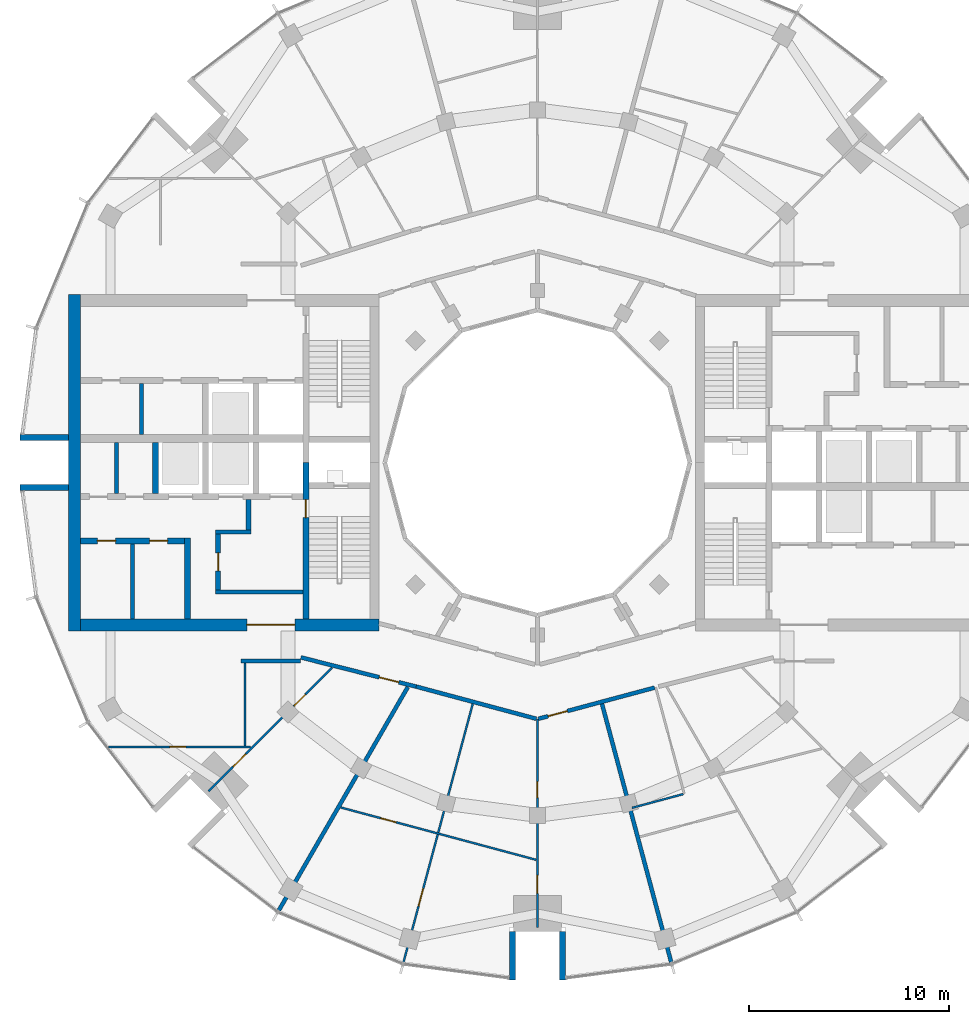
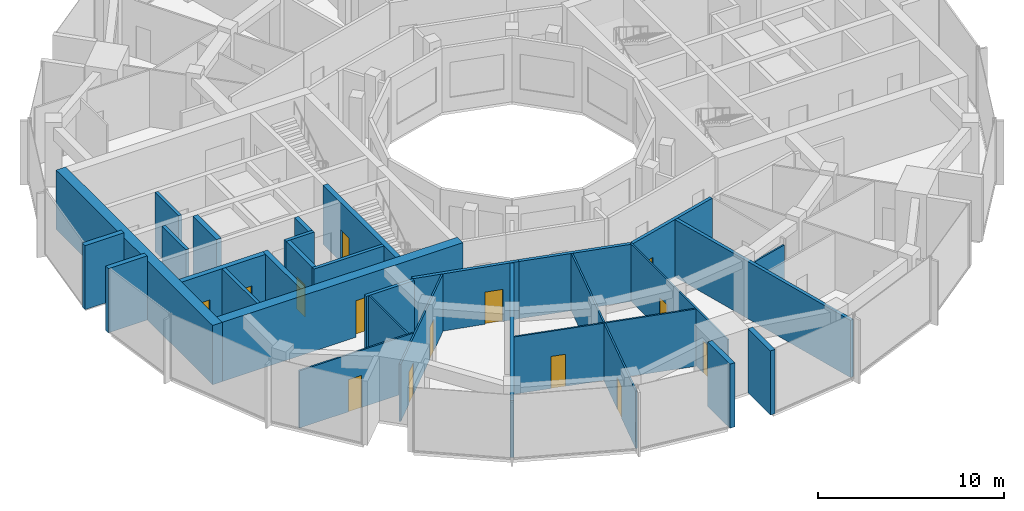
# One storey, part 8 of 15: 30 walls, 14 doors, 14 openings.
"""IFC4 building model written with IfcOpenShell, lengths in metres."""

from ifc_helpers import new_model, si_unit, direction, frame, frame_2d, origin, place, context, subcontext, project, spatial, rectangle, extrude, material, layer, layer_set, type_object, element, fill, save


model = new_model("IFC4")

# Units and contexts
model_context = context("Model", 3, precision=1e-05, world=origin(), true_north=direction((0.0, 1.0)))
body_context = subcontext(model_context, "Body", "Model", "MODEL_VIEW")
ifc_project = project(units=[si_unit("LENGTHUNIT", "METRE"), si_unit("AREAUNIT", "SQUARE_METRE"), si_unit("VOLUMEUNIT", "CUBIC_METRE"), si_unit("PLANEANGLEUNIT", "RADIAN"), si_unit("MASSUNIT", "GRAM", prefix="KILO")], contexts=[model_context])

# Site, building, storey
site_placement = place(None, origin())
site = spatial("IfcSite", under=ifc_project, at=site_placement, CompositionType="ELEMENT")
building_placement = place(site_placement, origin())
building = spatial("IfcBuilding", under=site, at=building_placement, Name="Torre Brocal", CompositionType="ELEMENT")
storey_placement = place(building_placement, frame((0.0, 0.0, 237.300048828125)))
storey = spatial("IfcBuildingStorey", under=building, at=storey_placement, Name="L54", CompositionType="ELEMENT", Elevation=237.300048828125)

# Walls
ifc_material_1 = material(Name="Masonry block", Category="masonry")
ifc_layer_1 = layer(ifc_material_1, 0.199951171875)
ifc_layer_set_1 = layer_set([ifc_layer_1], Name="Masonry block")
wall_type_1 = type_object("IfcWallType", Name="CORE PARTITION 200", PredefinedType="PARTITIONING", material=ifc_layer_set_1)
for number, where, z_axis, x_axis, name in (
    (1, (59.0, 76.0, 0.0), (0.0, 0.0, 1.0), (0.0, -1.0, 0.0), "Wall CP200"),
    (2, (60.25, 78.949951171875, 0.0), (0.0, 0.0, 1.0), (0.0, -1.0, 0.0), "Wall CP200"),
):
    element("IfcWall", number, at=place(storey_placement, frame(where, z_axis=z_axis, x_axis=x_axis)), inside=storey, type_object=wall_type_1, Name=name, PredefinedType="PARTITIONING", context=body_context, shape_type="SweptSolid", body=[
        extrude(rectangle(XDim=2.550048828125, YDim=0.199951171875, at=frame_2d((1.27490234375, 0.0))), origin(), (0.0, 0.0, 1.0), 3.8798828125),
    ])
wall_1_placement = place(storey_placement, frame((59.800048828125, 70.949951171875, 0.0), z_axis=(0.0, 0.0, 1.0), x_axis=(0.0, -1.0, 0.0)))
element("IfcWall", 3, at=wall_1_placement, inside=storey, type_object=wall_type_1, Name="Wall CP200", PredefinedType="PARTITIONING", context=body_context, shape_type="SweptSolid", body=[
    extrude(rectangle(XDim=3.75, YDim=0.199951171875, at=frame_2d((1.875, 0.0))), origin(), (0.0, 0.0, 1.0), 3.8798828125),
])
ifc_material_2 = material(Name="Concrete C60", Category="concrete")
ifc_layer_2 = layer(ifc_material_2, 0.199951171875)
ifc_layer_set_2 = layer_set([ifc_layer_2], Name="Concrete C60")
wall_type_2 = type_object("IfcWallType", Name="CORE WALL 200 C60", PredefinedType="SHEAR", material=ifc_layer_set_2)
wall_2_placement = place(storey_placement, frame((68.300048828125, 68.550048828125, 0.0), z_axis=(0.0, 0.0, 1.0), x_axis=(-1.0, 0.0, 0.0)))
element("IfcWall", 4, at=wall_2_placement, inside=storey, type_object=wall_type_2, Name="Wall CW200-60", PredefinedType="SHEAR", context=body_context, shape_type="SweptSolid", body=[
    extrude(rectangle(XDim=4.35009765625, YDim=0.199951171875, at=frame_2d((2.175048828125, 0.0))), origin(), (0.0, 0.0, 1.0), 3.8798828125),
])
wall_3_placement = place(storey_placement, frame((65.699951171875, 71.550048828125, 0.0), z_axis=(0.0, 0.0, 1.0), x_axis=(-1.0, 0.0, 0.0)))
element("IfcWall", 5, at=wall_3_placement, inside=storey, type_object=wall_type_2, Name="Wall CW200-60", PredefinedType="SHEAR", context=body_context, shape_type="SweptSolid", body=[
    extrude(rectangle(XDim=1.75, YDim=0.199951171875, at=frame_2d((0.875, 0.0))), origin(), (0.0, 0.0, 1.0), 3.8798828125),
])

# Wall, opening, door
ifc_material_3 = material(Name="Concrete C60", Category="concrete")
ifc_layer_3 = layer(ifc_material_3, 0.25)
ifc_layer_set_3 = layer_set([ifc_layer_3], Name="Concrete C60")
wall_type_3 = type_object("IfcWallType", Name="CORE WALL 250 C60", PredefinedType="SHEAR", material=ifc_layer_set_3)
wall_4_placement = place(storey_placement, frame((64.074951171875, 71.449951171875, 0.0), z_axis=(0.0, 0.0, 1.0), x_axis=(0.0, -1.0, 0.0)))
wall_4 = element("IfcWall", 6, at=wall_4_placement, inside=storey, type_object=wall_type_3, Name="Wall CW250-60", PredefinedType="SHEAR", context=body_context, shape_type="SweptSolid", body=[
    extrude(rectangle(XDim=2.800048828125, YDim=0.25, at=frame_2d((1.39990234375, 0.0))), origin(), (0.0, 0.0, 1.0), 3.8798828125),
])
opening_1_placement = place(wall_4_placement, frame((0.949951171875, 0.0, 0.0)))
opening_1 = element("IfcOpeningElement", 7, at=opening_1_placement, cuts=wall_4, Name="Opening W-D08", PredefinedType="OPENING", context=body_context, shape_type="SweptSolid", body=[
    extrude(rectangle(XDim=0.89990234375, YDim=2.10009765625, at=frame_2d((0.449951171875, 1.050048828125))), frame((0.0, 0.135009765625, 0.0), z_axis=(0.0, -1.0, 0.0), x_axis=(1.0, 0.0, 0.0)), (0.0, 0.0, 1.0), 0.27001953125),
])
ifc_material_4 = material(Name="Steel A653", Category="steel")
door_type_1 = type_object("IfcDoorType", Name="LOBBY DOOR FD120 900X2100", OperationType="SINGLE_SWING_RIGHT", PredefinedType="DOOR", material=ifc_material_4)
door_1_placement = place(opening_1_placement, origin())
door_1 = element("IfcDoor", 8, at=door_1_placement, inside=storey, type_object=door_type_1, Name="Door W-D08", OperationType="SINGLE_SWING_LEFT", OverallHeight=2.10009765625, OverallWidth=0.89990234375, PredefinedType="DOOR", context=body_context, shape_type="SweptSolid", body=[
    extrude(rectangle(XDim=0.89990234375, YDim=2.10009765625, at=frame_2d((0.449951171875, 1.050048828125))), frame((0.0, 0.02490234375, 0.0), z_axis=(0.0, -1.0, 0.0), x_axis=(1.0, 0.0, 0.0)), (0.0, 0.0, 1.0), 0.050048828125),
])
fill(opening_1, door_1)

# Wall
wall_5_placement = place(storey_placement, frame((65.574951171875, 73.14990234375, 0.0), z_axis=(0.0, 0.0, 1.0), x_axis=(0.0, -1.0, 0.0)))
element("IfcWall", 9, at=wall_5_placement, inside=storey, type_object=wall_type_3, Name="Wall CW250-60", PredefinedType="SHEAR", context=body_context, shape_type="SweptSolid", body=[
    extrude(rectangle(XDim=1.5, YDim=0.25, at=frame_2d((0.75, 0.0))), origin(), (0.0, 0.0, 1.0), 3.8798828125),
])

# Wall, opening, door
ifc_material_5 = material(Name="Concrete C60", Category="concrete")
ifc_layer_4 = layer(ifc_material_5, 0.300048828125)
ifc_layer_set_4 = layer_set([ifc_layer_4], Name="Concrete C60")
wall_type_4 = type_object("IfcWallType", Name="CORE WALL 300 C60", PredefinedType="SHEAR", material=ifc_layer_set_4)
wall_6_placement = place(storey_placement, frame((68.449951171875, 75.0, 0.0), z_axis=(0.0, 0.0, 1.0), x_axis=(0.0, -1.0, 0.0)))
wall_6 = element("IfcWall", 10, at=wall_6_placement, inside=storey, type_object=wall_type_4, Name="Wall CW300-60", PredefinedType="SHEAR", context=body_context, shape_type="SweptSolid", body=[
    extrude(rectangle(XDim=7.800048828125, YDim=0.300048828125, at=frame_2d((3.89990234375, 0.0))), origin(), (0.0, 0.0, 1.0), 3.8798828125),
])
opening_2_placement = place(wall_6_placement, frame((1.85009765625, 0.0, 0.0)))
opening_2 = element("IfcOpeningElement", 11, at=opening_2_placement, cuts=wall_6, Name="Opening W-D02", PredefinedType="OPENING", context=body_context, shape_type="SweptSolid", body=[
    extrude(rectangle(XDim=0.89990234375, YDim=2.10009765625, at=frame_2d((0.449951171875, 1.050048828125))), frame((0.0, 0.159912109375, 0.0), z_axis=(0.0, -1.0, 0.0), x_axis=(1.0, 0.0, 0.0)), (0.0, 0.0, 1.0), 0.320068359375),
])
ifc_material_6 = material(Name="Steel A653", Category="steel")
door_type_2 = type_object("IfcDoorType", Name="STAIR DOOR FD120 900X2100", OperationType="SINGLE_SWING_RIGHT", PredefinedType="DOOR", material=ifc_material_6)
door_2_placement = place(opening_2_placement, origin())
door_2 = element("IfcDoor", 12, at=door_2_placement, inside=storey, type_object=door_type_2, Name="Door W-D02", OperationType="SINGLE_SWING_LEFT", OverallHeight=2.10009765625, OverallWidth=0.89990234375, PredefinedType="DOOR", context=body_context, shape_type="SweptSolid", body=[
    extrude(rectangle(XDim=0.89990234375, YDim=2.10009765625, at=frame_2d((0.449951171875, 1.050048828125))), frame((0.0, 0.02490234375, 0.0), z_axis=(0.0, -1.0, 0.0), x_axis=(1.0, 0.0, 0.0)), (0.0, 0.0, 1.0), 0.050048828125),
])
fill(opening_2, door_2)

# Walls
wall_7_placement = place(storey_placement, frame((60.949951171875, 76.0, 0.0), z_axis=(0.0, 0.0, 1.0), x_axis=(0.0, -1.0, 0.0)))
element("IfcWall", 13, at=wall_7_placement, inside=storey, type_object=wall_type_4, Name="Wall CW300-60", PredefinedType="SHEAR", context=body_context, shape_type="SweptSolid", body=[
    extrude(rectangle(XDim=2.550048828125, YDim=0.300048828125, at=frame_2d((1.27490234375, 0.0))), origin(), (0.0, 0.0, 1.0), 3.8798828125),
])
wall_8_placement = place(storey_placement, frame((62.550048828125, 71.25, 0.0), z_axis=(0.0, 0.0, 1.0), x_axis=(0.0, -1.0, 0.0)))
element("IfcWall", 14, at=wall_8_placement, inside=storey, type_object=wall_type_4, Name="Wall CW300-60", PredefinedType="SHEAR", context=body_context, shape_type="SweptSolid", body=[
    extrude(rectangle(XDim=4.050048828125, YDim=0.300048828125, at=frame_2d((2.02490234375, 0.0))), origin(), (0.0, 0.0, 1.0), 3.8798828125),
])

# Wall, openings, doors
wall_9_placement = place(storey_placement, frame((62.39990234375, 71.10009765625, 0.0), z_axis=(0.0, 0.0, 1.0), x_axis=(-1.0, 0.0, 0.0)))
wall_9 = element("IfcWall", 15, at=wall_9_placement, inside=storey, type_object=wall_type_4, Name="Wall CW300-60", PredefinedType="SHEAR", context=body_context, shape_type="SweptSolid", body=[
    extrude(rectangle(XDim=5.199951171875, YDim=0.300048828125, at=frame_2d((2.60009765625, 0.0))), origin(), (0.0, 0.0, 1.0), 3.8798828125),
])
opening_3_placement = place(wall_9_placement, frame((0.85009765625, 0.0, 0.0)))
opening_3 = element("IfcOpeningElement", 16, at=opening_3_placement, cuts=wall_9, Name="Opening W-D09", PredefinedType="OPENING", context=body_context, shape_type="SweptSolid", body=[
    extrude(rectangle(XDim=0.89990234375, YDim=2.10009765625, at=frame_2d((0.449951171875, 1.050048828125))), frame((0.0, 0.159912109375, 0.0), z_axis=(0.0, -1.0, 0.0), x_axis=(1.0, 0.0, 0.0)), (0.0, 0.0, 1.0), 0.320068359375),
])
opening_4_placement = place(wall_9_placement, frame((3.449951171875, 0.0, 0.0)))
opening_4 = element("IfcOpeningElement", 17, at=opening_4_placement, cuts=wall_9, Name="Opening W-D10", PredefinedType="OPENING", context=body_context, shape_type="SweptSolid", body=[
    extrude(rectangle(XDim=0.89990234375, YDim=2.10009765625, at=frame_2d((0.449951171875, 1.050048828125))), frame((0.0, 0.159912109375, 0.0), z_axis=(0.0, -1.0, 0.0), x_axis=(1.0, 0.0, 0.0)), (0.0, 0.0, 1.0), 0.320068359375),
])
ifc_material_7 = material(Name="Steel A653", Category="steel")
door_type_3 = type_object("IfcDoorType", Name="ROOM DOOR FD30S 900X2100", OperationType="SINGLE_SWING_LEFT", PredefinedType="DOOR", material=ifc_material_7)
door_3_placement = place(opening_3_placement, origin())
door_3 = element("IfcDoor", 18, at=door_3_placement, inside=storey, type_object=door_type_3, Name="Door W-D09", OperationType="SINGLE_SWING_RIGHT", OverallHeight=2.10009765625, OverallWidth=0.89990234375, PredefinedType="DOOR", context=body_context, shape_type="SweptSolid", body=[
    extrude(rectangle(XDim=0.89990234375, YDim=2.10009765625, at=frame_2d((0.449951171875, 1.050048828125))), frame((0.0, 0.02490234375, 0.0), z_axis=(0.0, -1.0, 0.0), x_axis=(1.0, 0.0, 0.0)), (0.0, 0.0, 1.0), 0.050048828125),
])
fill(opening_3, door_3)
door_4_placement = place(opening_4_placement, origin())
door_4 = element("IfcDoor", 19, at=door_4_placement, inside=storey, type_object=door_type_3, Name="Door W-D10", OperationType="SINGLE_SWING_LEFT", OverallHeight=2.10009765625, OverallWidth=0.89990234375, PredefinedType="DOOR", context=body_context, shape_type="SweptSolid", body=[
    extrude(rectangle(XDim=0.89990234375, YDim=2.10009765625, at=frame_2d((0.449951171875, 1.050048828125))), frame((0.0, 0.02490234375, 0.0), z_axis=(0.0, -1.0, 0.0), x_axis=(1.0, 0.0, 0.0)), (0.0, 0.0, 1.0), 0.050048828125),
])
fill(opening_4, door_4)

# Wall, opening, door
ifc_material_8 = material(Name="Concrete C60", Category="concrete")
ifc_layer_5 = layer(ifc_material_8, 0.60009765625)
ifc_layer_set_5 = layer_set([ifc_layer_5], Name="Concrete C60")
wall_type_5 = type_object("IfcWallType", Name="CORE WALL 600 C60", PredefinedType="SHEAR", material=ifc_layer_set_5)
wall_10_placement = place(storey_placement, frame((72.10009765625, 66.89990234375, 0.0), z_axis=(0.0, 0.0, 1.0), x_axis=(-1.0, 0.0, 0.0)))
wall_10 = element("IfcWall", 20, at=wall_10_placement, inside=storey, type_object=wall_type_5, Name="Wall CW600-60", PredefinedType="SHEAR", context=body_context, shape_type="SweptSolid", body=[
    extrude(rectangle(XDim=14.900146484375, YDim=0.60009765625, at=frame_2d((7.4501953125, 0.0))), origin(), (0.0, 0.0, 1.0), 3.8798828125),
])
opening_5_placement = place(wall_10_placement, frame((4.199951171875, 0.0, 0.0)))
opening_5 = element("IfcOpeningElement", 21, at=opening_5_placement, cuts=wall_10, Name="Opening W-D34", PredefinedType="OPENING", context=body_context, shape_type="SweptSolid", body=[
    extrude(rectangle(XDim=2.39990234375, YDim=2.39990234375, at=frame_2d((1.199951171875, 1.199951171875))), frame((0.0, 0.31005859375, 0.0), z_axis=(0.0, -1.0, 0.0), x_axis=(1.0, 0.0, 0.0)), (0.0, 0.0, 1.0), 0.6201171875),
])
ifc_material_9 = material(Name="Steel A653", Category="steel")
door_type_4 = type_object("IfcDoorType", Name="DOUBLE FIRE DOOR FD90 2400X2400", OperationType="DOUBLE_DOOR_SINGLE_SWING", PredefinedType="DOOR", material=ifc_material_9)
door_5_placement = place(opening_5_placement, frame((2.39990234375, 0.0, 0.0), z_axis=(0.0, 0.0, 1.0), x_axis=(-1.0, 0.0, 0.0)))
door_5 = element("IfcDoor", 22, at=door_5_placement, inside=storey, type_object=door_type_4, Name="Door W-D34", OperationType="DOUBLE_DOOR_SINGLE_SWING", OverallHeight=2.39990234375, OverallWidth=2.39990234375, PredefinedType="DOOR", context=body_context, shape_type="SweptSolid", body=[
    extrude(rectangle(XDim=2.39990234375, YDim=2.39990234375, at=frame_2d((1.199951171875, 1.199951171875))), frame((0.0, 0.02490234375, 0.0), z_axis=(0.0, -1.0, 0.0), x_axis=(1.0, 0.0, 0.0)), (0.0, 0.0, 1.0), 0.050048828125),
])
fill(opening_5, door_5)

# Walls
wall_11_placement = place(storey_placement, frame((56.89990234375, 83.39990234375, 0.0), z_axis=(0.0, 0.0, 1.0), x_axis=(0.0, -1.0, 0.0)))
element("IfcWall", 23, at=wall_11_placement, inside=storey, type_object=wall_type_5, Name="Wall CW600-60", PredefinedType="SHEAR", context=body_context, shape_type="SweptSolid", body=[
    extrude(rectangle(XDim=16.7998046875, YDim=0.60009765625, at=frame_2d((8.39990234375, 0.0))), origin(), (0.0, 0.0, 1.0), 3.8798828125),
])
ifc_material_10 = material(Name="Concrete C60", Category="concrete")
ifc_layer_6 = layer(ifc_material_10, 0.300048828125)
ifc_layer_set_6 = layer_set([ifc_layer_6], Name="Concrete C60")
wall_type_6 = type_object("IfcWallType", Name="NOTCH RETURN WALL 300 C60", PredefinedType="NOTDEFINED", material=ifc_layer_set_6)
for number, where, z_axis, x_axis, name in (
    (24, (56.60009765625, 76.25, 0.0), (0.0, 0.0, 1.0), (-1.0, 0.0, 0.0), "NOTCH RETURN WALL"),
    (25, (56.60009765625, 73.75, 0.0), (0.0, 0.0, 1.0), (-1.0, 0.0, 0.0), "NOTCH RETURN WALL"),
    (26, (78.75, 51.60009765625, 0.0), (0.0, 0.0, 1.0), (0.0, -1.0, 0.0), "NOTCH RETURN WALL"),
    (27, (81.25, 51.60009765625, 0.0), (0.0, 0.0, 1.0), (0.0, -1.0, 0.0), "NOTCH RETURN WALL"),
):
    element("IfcWall", number, at=place(storey_placement, frame(where, z_axis=z_axis, x_axis=x_axis)), inside=storey, type_object=wall_type_6, Name=name, PredefinedType="NOTDEFINED", context=body_context, shape_type="SweptSolid", body=[
        extrude(rectangle(XDim=2.415771484375, YDim=0.300048828125, at=frame_2d((1.2080078125, 0.0))), origin(), (0.0, 0.0, 1.0), 4.199951171875),
    ])

# Wall, opening, door
ifc_material_11 = material(Name="Gypsum board", Category="Gypsum")
ifc_layer_7 = layer(ifc_material_11, 0.10009765625)
ifc_layer_set_7 = layer_set([ifc_layer_7], Name="Gypsum board")
wall_type_7 = type_object("IfcWallType", Name="PARTITION 100", PredefinedType="PARTITIONING", material=ifc_layer_set_7)
wall_12_placement = place(storey_placement, frame((58.60009765625, 60.81201171875, 0.0), z_axis=(0.0, 0.0, 1.0), x_axis=(1.0, 0.0, 0.0)))
wall_12 = element("IfcWall", 28, at=wall_12_placement, inside=storey, type_object=wall_type_7, Name="BATHROOM WALL", PredefinedType="PARTITIONING", context=body_context, shape_type="SweptSolid", body=[
    extrude(rectangle(XDim=7.091796875, YDim=0.10009765625, at=frame_2d((3.5458984375, 0.0))), origin(), (0.0, 0.0, 1.0), 3.75),
])
opening_6_placement = place(wall_12_placement, frame((3.06494140625, 0.0, 0.0)))
opening_6 = element("IfcOpeningElement", 29, at=opening_6_placement, cuts=wall_12, Name="Opening B03-D34", PredefinedType="OPENING", context=body_context, shape_type="SweptSolid", body=[
    extrude(rectangle(XDim=0.800048828125, YDim=2.10009765625, at=frame_2d((0.39990234375, 1.050048828125))), frame((0.0, 0.06005859375, 0.0), z_axis=(0.0, -1.0, 0.0), x_axis=(1.0, 0.0, 0.0)), (0.0, 0.0, 1.0), 0.1201171875),
])
ifc_material_12 = material(Name="Timber", Category="wood")
door_type_5 = type_object("IfcDoorType", Name="BATHROOM DOOR 800X2100", OperationType="SINGLE_SWING_LEFT", PredefinedType="DOOR", material=ifc_material_12)
door_6_placement = place(opening_6_placement, origin())
door_6 = element("IfcDoor", 30, at=door_6_placement, inside=storey, type_object=door_type_5, Name="B03-D34", OperationType="SINGLE_SWING_RIGHT", OverallHeight=2.10009765625, OverallWidth=0.800048828125, PredefinedType="DOOR", context=body_context, shape_type="SweptSolid", body=[
    extrude(rectangle(XDim=0.800048828125, YDim=2.10009765625, at=frame_2d((0.39990234375, 1.050048828125))), frame((0.0, 0.02490234375, 0.0), z_axis=(0.0, -1.0, 0.0), x_axis=(1.0, 0.0, 0.0)), (0.0, 0.0, 1.0), 0.050048828125),
])
fill(opening_6, door_6)

# Wall, openings, doors
wall_13_placement = place(storey_placement, frame((63.59130859375, 58.60009765625, 0.0), z_axis=(0.0, 0.0, 1.0), x_axis=(0.707274766636, 0.70693875582, 0.0)))
wall_13 = element("IfcWall", 31, at=wall_13_placement, inside=storey, type_object=wall_type_7, Name="BATHROOM WALL", PredefinedType="PARTITIONING", context=body_context, shape_type="SweptSolid", body=[
    extrude(rectangle(XDim=8.718994140625, YDim=0.10009765625, at=frame_2d((4.359375, 0.0))), origin(), (0.0, 0.0, 1.0), 3.75),
])
opening_7_placement = place(wall_13_placement, frame((1.728515625, 0.0, 0.0)))
opening_7 = element("IfcOpeningElement", 32, at=opening_7_placement, cuts=wall_13, Name="Opening B03-D33", PredefinedType="OPENING", context=body_context, shape_type="SweptSolid", body=[
    extrude(rectangle(XDim=0.89990234375, YDim=2.10009765625, at=frame_2d((0.449951171875, 1.050048828125))), frame((0.0, 0.06005859375, 0.0), z_axis=(0.0, -1.0, 0.0), x_axis=(1.0, 0.0, 0.0)), (0.0, 0.0, 1.0), 0.1201171875),
])
opening_8_placement = place(wall_13_placement, frame((6.03271484375, 0.0, 0.0)))
opening_8 = element("IfcOpeningElement", 33, at=opening_8_placement, cuts=wall_13, Name="Opening B03-D35", PredefinedType="OPENING", context=body_context, shape_type="SweptSolid", body=[
    extrude(rectangle(XDim=0.800048828125, YDim=2.10009765625, at=frame_2d((0.39990234375, 1.050048828125))), frame((0.0, 0.06005859375, 0.0), z_axis=(0.0, -1.0, 0.0), x_axis=(1.0, 0.0, 0.0)), (0.0, 0.0, 1.0), 0.1201171875),
])
door_7_placement = place(opening_8_placement, origin())
door_7 = element("IfcDoor", 34, at=door_7_placement, inside=storey, type_object=door_type_5, Name="B03-D35", OperationType="SINGLE_SWING_RIGHT", OverallHeight=2.10009765625, OverallWidth=0.800048828125, PredefinedType="DOOR", context=body_context, shape_type="SweptSolid", body=[
    extrude(rectangle(XDim=0.800048828125, YDim=2.10009765625, at=frame_2d((0.39990234375, 1.050048828125))), frame((0.0, 0.02490234375, 0.0), z_axis=(0.0, -1.0, 0.0), x_axis=(1.0, 0.0, 0.0)), (0.0, 0.0, 1.0), 0.050048828125),
])
fill(opening_8, door_7)
ifc_material_13 = material(Name="Timber", Category="wood")
door_type_6 = type_object("IfcDoorType", Name="ROOM DOOR 900X2100", OperationType="SINGLE_SWING_LEFT", PredefinedType="DOOR", material=ifc_material_13)
door_8_placement = place(opening_7_placement, origin())
door_8 = element("IfcDoor", 35, at=door_8_placement, inside=storey, type_object=door_type_6, Name="B03-D33", OperationType="SINGLE_SWING_LEFT", OverallHeight=2.10009765625, OverallWidth=0.89990234375, PredefinedType="DOOR", context=body_context, shape_type="SweptSolid", body=[
    extrude(rectangle(XDim=0.89990234375, YDim=2.10009765625, at=frame_2d((0.449951171875, 1.050048828125))), frame((0.0, 0.02490234375, 0.0), z_axis=(0.0, -1.0, 0.0), x_axis=(1.0, 0.0, 0.0)), (0.0, 0.0, 1.0), 0.050048828125),
])
fill(opening_7, door_8)

# Wall
wall_14_placement = place(storey_placement, frame((65.39990234375, 60.862060546875, 0.0), z_axis=(0.0, 0.0, 1.0), x_axis=(0.0, 1.0, 0.0)))
element("IfcWall", 36, at=wall_14_placement, inside=storey, type_object=wall_type_7, Name="BATHROOM WALL", PredefinedType="PARTITIONING", context=body_context, shape_type="SweptSolid", body=[
    extrude(rectangle(XDim=4.137939453125, YDim=0.10009765625, at=frame_2d((2.06884765625, 0.0))), origin(), (0.0, 0.0, 1.0), 3.75),
])

# Wall, opening, door
wall_15_placement = place(storey_placement, frame((70.1884765625, 57.79345703125, 0.0), z_axis=(0.0, 0.0, 1.0), x_axis=(0.965911138035, -0.258873856194, 0.0)))
wall_15 = element("IfcWall", 37, at=wall_15_placement, inside=storey, type_object=wall_type_7, Name="BATHROOM WALL", PredefinedType="PARTITIONING", context=body_context, shape_type="SweptSolid", body=[
    extrude(rectangle(XDim=10.09765625, YDim=0.10009765625, at=frame_2d((5.048828125, 0.0))), origin(), (0.0, 0.0, 1.0), 3.75),
])
opening_9_placement = place(wall_15_placement, frame((2.056884765625, 0.0, 0.0)))
opening_9 = element("IfcOpeningElement", 38, at=opening_9_placement, cuts=wall_15, Name="Opening B03-D31", PredefinedType="OPENING", context=body_context, shape_type="SweptSolid", body=[
    extrude(rectangle(XDim=0.800048828125, YDim=2.10009765625, at=frame_2d((0.39990234375, 1.050048828125))), frame((0.0, 0.06005859375, 0.0), z_axis=(0.0, -1.0, 0.0), x_axis=(1.0, 0.0, 0.0)), (0.0, 0.0, 1.0), 0.1201171875),
])
door_9_placement = place(opening_9_placement, origin())
door_9 = element("IfcDoor", 39, at=door_9_placement, inside=storey, type_object=door_type_5, Name="B03-D31", OperationType="SINGLE_SWING_LEFT", OverallHeight=2.10009765625, OverallWidth=0.800048828125, PredefinedType="DOOR", context=body_context, shape_type="SweptSolid", body=[
    extrude(rectangle(XDim=0.800048828125, YDim=2.10009765625, at=frame_2d((0.39990234375, 1.050048828125))), frame((0.0, 0.02490234375, 0.0), z_axis=(0.0, -1.0, 0.0), x_axis=(1.0, 0.0, 0.0)), (0.0, 0.0, 1.0), 0.050048828125),
])
fill(opening_9, door_9)

wall_16_placement = place(storey_placement, frame((73.322998046875, 50.080810546875, 0.0), z_axis=(0.0, 0.0, 1.0), x_axis=(0.258837030899, 0.96592100683, 0.0)))
wall_16 = element("IfcWall", 40, at=wall_16_placement, inside=storey, type_object=wall_type_7, Name="BATHROOM WALL", PredefinedType="PARTITIONING", context=body_context, shape_type="SweptSolid", body=[
    extrude(rectangle(XDim=13.338134765625, YDim=0.10009765625, at=frame_2d((6.6689453125, 0.0))), origin(), (0.0, 0.0, 1.0), 3.75),
])
opening_10_placement = place(wall_16_placement, frame((2.894287109375, 0.0, 0.0)))
opening_10 = element("IfcOpeningElement", 41, at=opening_10_placement, cuts=wall_16, Name="Opening B03-D30", PredefinedType="OPENING", context=body_context, shape_type="SweptSolid", body=[
    extrude(rectangle(XDim=0.89990234375, YDim=2.10009765625, at=frame_2d((0.449951171875, 1.050048828125))), frame((0.0, 0.06005859375, 0.0), z_axis=(0.0, -1.0, 0.0), x_axis=(1.0, 0.0, 0.0)), (0.0, 0.0, 1.0), 0.1201171875),
])
door_10_placement = place(opening_10_placement, frame((0.89990234375, 0.0, 0.0), z_axis=(0.0, 0.0, 1.0), x_axis=(-1.0, 0.0, 0.0)))
door_10 = element("IfcDoor", 42, at=door_10_placement, inside=storey, type_object=door_type_6, Name="B03-D30", OperationType="SINGLE_SWING_RIGHT", OverallHeight=2.10009765625, OverallWidth=0.89990234375, PredefinedType="DOOR", context=body_context, shape_type="SweptSolid", body=[
    extrude(rectangle(XDim=0.89990234375, YDim=2.10009765625, at=frame_2d((0.449951171875, 1.050048828125))), frame((0.0, 0.02490234375, 0.0), z_axis=(0.0, -1.0, 0.0), x_axis=(1.0, 0.0, 0.0)), (0.0, 0.0, 1.0), 0.050048828125),
])
fill(opening_10, door_10)

# Wall, openings, doors
wall_17_placement = place(storey_placement, frame((80.0, 51.800048828125, 0.0), z_axis=(0.0, 0.0, 1.0), x_axis=(0.0, 1.0, 0.0)))
wall_17 = element("IfcWall", 43, at=wall_17_placement, inside=storey, type_object=wall_type_7, Name="BATHROOM WALL", PredefinedType="PARTITIONING", context=body_context, shape_type="SweptSolid", body=[
    extrude(rectangle(XDim=10.404052734375, YDim=0.10009765625, at=frame_2d((5.2021484375, 0.0))), origin(), (0.0, 0.0, 1.0), 3.75),
])
opening_11_placement = place(wall_17_placement, frame((1.70703125, 0.0, 0.0)))
opening_11 = element("IfcOpeningElement", 44, at=opening_11_placement, cuts=wall_17, Name="Opening B03-D28", PredefinedType="OPENING", context=body_context, shape_type="SweptSolid", body=[
    extrude(rectangle(XDim=0.89990234375, YDim=2.10009765625, at=frame_2d((0.449951171875, 1.050048828125))), frame((0.0, 0.06005859375, 0.0), z_axis=(0.0, -1.0, 0.0), x_axis=(1.0, 0.0, 0.0)), (0.0, 0.0, 1.0), 0.1201171875),
])
opening_12_placement = place(wall_17_placement, frame((6.48388671875, 0.0, 0.0)))
opening_12 = element("IfcOpeningElement", 45, at=opening_12_placement, cuts=wall_17, Name="Opening B03-D29", PredefinedType="OPENING", context=body_context, shape_type="SweptSolid", body=[
    extrude(rectangle(XDim=0.800048828125, YDim=2.10009765625, at=frame_2d((0.39990234375, 1.050048828125))), frame((0.0, 0.06005859375, 0.0), z_axis=(0.0, -1.0, 0.0), x_axis=(1.0, 0.0, 0.0)), (0.0, 0.0, 1.0), 0.1201171875),
])
door_11_placement = place(opening_12_placement, origin())
door_11 = element("IfcDoor", 46, at=door_11_placement, inside=storey, type_object=door_type_5, Name="B03-D29", OperationType="SINGLE_SWING_LEFT", OverallHeight=2.10009765625, OverallWidth=0.800048828125, PredefinedType="DOOR", context=body_context, shape_type="SweptSolid", body=[
    extrude(rectangle(XDim=0.800048828125, YDim=2.10009765625, at=frame_2d((0.39990234375, 1.050048828125))), frame((0.0, 0.02490234375, 0.0), z_axis=(0.0, -1.0, 0.0), x_axis=(1.0, 0.0, 0.0)), (0.0, 0.0, 1.0), 0.050048828125),
])
fill(opening_12, door_11)
door_12_placement = place(opening_11_placement, origin())
door_12 = element("IfcDoor", 47, at=door_12_placement, inside=storey, type_object=door_type_6, Name="B03-D28", OperationType="SINGLE_SWING_RIGHT", OverallHeight=2.10009765625, OverallWidth=0.89990234375, PredefinedType="DOOR", context=body_context, shape_type="SweptSolid", body=[
    extrude(rectangle(XDim=0.89990234375, YDim=2.10009765625, at=frame_2d((0.449951171875, 1.050048828125))), frame((0.0, 0.02490234375, 0.0), z_axis=(0.0, -1.0, 0.0), x_axis=(1.0, 0.0, 0.0)), (0.0, 0.0, 1.0), 0.050048828125),
])
fill(opening_11, door_12)

# Walls
ifc_material_14 = material(Name="Gypsum board", Category="Gypsum")
ifc_layer_8 = layer(ifc_material_14, 0.10009765625)
ifc_layer_set_8 = layer_set([ifc_layer_8], Name="Gypsum board")
wall_type_8 = type_object("IfcWallType", Name="PARTITION 100 UNDER BEAM 820", PredefinedType="PARTITIONING", material=ifc_layer_set_8)
wall_18_placement = place(storey_placement, frame((84.719482421875, 57.77392578125, 0.0), z_axis=(0.0, 0.0, 1.0), x_axis=(0.965902408875, 0.258906424273, 0.0)))
element("IfcWall", 48, at=wall_18_placement, inside=storey, type_object=wall_type_8, Name="BATHROOM WALL", PredefinedType="PARTITIONING", context=body_context, shape_type="SweptSolid", body=[
    extrude(rectangle(XDim=2.650634765625, YDim=0.10009765625, at=frame_2d((1.3251953125, 0.0))), origin(), (0.0, 0.0, 1.0), 3.3798828125),
])
ifc_material_15 = material(Name="Gypsum board", Category="Gypsum")
ifc_layer_9 = layer(ifc_material_15, 0.199951171875)
ifc_layer_set_9 = layer_set([ifc_layer_9], Name="Gypsum board")
wall_type_9 = type_object("IfcWallType", Name="PARTITION 200 EI60", PredefinedType="PARTITIONING", material=ifc_layer_set_9)
wall_19_placement = place(storey_placement, frame((65.199951171875, 65.10009765625, 0.0), z_axis=(0.0, 0.0, 1.0), x_axis=(1.0, 0.0, 0.0)))
element("IfcWall", 49, at=wall_19_placement, inside=storey, type_object=wall_type_9, Name="CORRIDOR WALL", PredefinedType="PARTITIONING", context=body_context, shape_type="SweptSolid", body=[
    extrude(rectangle(XDim=2.97998046875, YDim=0.199951171875, at=frame_2d((1.489990234375, 0.0))), origin(), (0.0, 0.0, 1.0), 3.75),
])
wall_20_placement = place(storey_placement, frame((67.099853515625, 52.659423828125, 0.0), z_axis=(0.0, 0.0, 1.0), x_axis=(0.500128690501, 0.865951091539, 0.0)))
element("IfcWall", 50, at=wall_20_placement, inside=storey, type_object=wall_type_9, Name="BATHROOM WALL", PredefinedType="PARTITIONING", context=body_context, shape_type="SweptSolid", body=[
    extrude(rectangle(XDim=12.8662109375, YDim=0.199951171875, at=frame_2d((6.43310546875, 0.0))), origin(), (0.0, 0.0, 1.0), 3.75),
])

# Wall, opening, door
wall_21_placement = place(storey_placement, frame((68.199951171875, 65.280029296875, 0.0), z_axis=(0.0, 0.0, 1.0), x_axis=(0.969450596516, -0.245286650503, 0.0)))
wall_21 = element("IfcWall", 51, at=wall_21_placement, inside=storey, type_object=wall_type_9, Name="FLAT ENTRANCE WALL", PredefinedType="PARTITIONING", context=body_context, shape_type="SweptSolid", body=[
    extrude(rectangle(XDim=5.92822265625, YDim=0.199951171875, at=frame_2d((2.964111328125, 0.0))), origin(), (0.0, 0.0, 1.0), 3.75),
])
opening_13_placement = place(wall_21_placement, frame((4.038818359375, 0.0, 0.0)))
opening_13 = element("IfcOpeningElement", 52, at=opening_13_placement, cuts=wall_21, Name="Opening B03-D32", PredefinedType="OPENING", context=body_context, shape_type="SweptSolid", body=[
    extrude(rectangle(XDim=1.0, YDim=2.10009765625, at=frame_2d((0.5, 1.050048828125))), frame((0.0, 0.10986328125, 0.0), z_axis=(0.0, -1.0, 0.0), x_axis=(1.0, 0.0, 0.0)), (0.0, 0.0, 1.0), 0.219970703125),
])
ifc_material_16 = material(Name="Timber", Category="wood")
door_type_7 = type_object("IfcDoorType", Name="FLAT ENTRY DOOR FD30S 1000X2100", OperationType="SINGLE_SWING_RIGHT", PredefinedType="DOOR", material=ifc_material_16)
door_13_placement = place(opening_13_placement, frame((1.0, 0.0, 0.0), z_axis=(0.0, 0.0, 1.0), x_axis=(-1.0, 0.0, 0.0)))
door_13 = element("IfcDoor", 53, at=door_13_placement, inside=storey, type_object=door_type_7, Name="B03-D32", OperationType="SINGLE_SWING_LEFT", OverallHeight=2.10009765625, OverallWidth=1.0, PredefinedType="DOOR", context=body_context, shape_type="SweptSolid", body=[
    extrude(rectangle(XDim=1.0, YDim=2.10009765625, at=frame_2d((0.5, 1.050048828125))), frame((0.0, 0.02490234375, 0.0), z_axis=(0.0, -1.0, 0.0), x_axis=(1.0, 0.0, 0.0)), (0.0, 0.0, 1.0), 0.050048828125),
])
fill(opening_13, door_13)

# Wall
wall_22_placement = place(storey_placement, frame((73.947021484375, 63.825927734375, 0.0), z_axis=(0.0, 0.0, 1.0), x_axis=(0.965908253407, -0.258884619088, 0.0)))
element("IfcWall", 54, at=wall_22_placement, inside=storey, type_object=wall_type_9, Name="GUESTROOM CORRIDOR WALL", PredefinedType="PARTITIONING", context=body_context, shape_type="SweptSolid", body=[
    extrude(rectangle(XDim=6.216552734375, YDim=0.199951171875, at=frame_2d((3.1083984375, 0.0))), origin(), (0.0, 0.0, 1.0), 3.75),
])

# Wall, opening, door
wall_23_placement = place(storey_placement, frame((80.04833984375, 62.217041015625, 0.0), z_axis=(0.0, 0.0, 1.0), x_axis=(0.965941520544, 0.258760466242, 0.0)))
wall_23 = element("IfcWall", 55, at=wall_23_placement, inside=storey, type_object=wall_type_9, Name="FLAT ENTRANCE WALL", PredefinedType="PARTITIONING", context=body_context, shape_type="SweptSolid", body=[
    extrude(rectangle(XDim=6.00634765625, YDim=0.199951171875, at=frame_2d((3.003173828125, 0.0))), origin(), (0.0, 0.0, 1.0), 3.75),
])
opening_14_placement = place(wall_23_placement, frame((0.5, 0.0, 0.0)))
opening_14 = element("IfcOpeningElement", 56, at=opening_14_placement, cuts=wall_23, Name="Opening B03-D27", PredefinedType="OPENING", context=body_context, shape_type="SweptSolid", body=[
    extrude(rectangle(XDim=1.0, YDim=2.10009765625, at=frame_2d((0.5, 1.050048828125))), frame((0.0, 0.10986328125, 0.0), z_axis=(0.0, -1.0, 0.0), x_axis=(1.0, 0.0, 0.0)), (0.0, 0.0, 1.0), 0.219970703125),
])
door_14_placement = place(opening_14_placement, frame((1.0, 0.0, 0.0), z_axis=(0.0, 0.0, 1.0), x_axis=(-1.0, 0.0, 0.0)))
door_14 = element("IfcDoor", 57, at=door_14_placement, inside=storey, type_object=door_type_7, Name="B03-D27", OperationType="SINGLE_SWING_RIGHT", OverallHeight=2.10009765625, OverallWidth=1.0, PredefinedType="DOOR", context=body_context, shape_type="SweptSolid", body=[
    extrude(rectangle(XDim=1.0, YDim=2.10009765625, at=frame_2d((0.5, 1.050048828125))), frame((0.0, 0.02490234375, 0.0), z_axis=(0.0, -1.0, 0.0), x_axis=(1.0, 0.0, 0.0)), (0.0, 0.0, 1.0), 0.050048828125),
])
fill(opening_14, door_14)

# Wall
wall_24_placement = place(storey_placement, frame((83.22412109375, 62.964111328125, 0.0), z_axis=(0.0, 0.0, 1.0), x_axis=(0.258742489642, -0.965946336012, 0.0)))
element("IfcWall", 58, at=wall_24_placement, inside=storey, type_object=wall_type_9, Name="BATHROOM WALL", PredefinedType="PARTITIONING", context=body_context, shape_type="SweptSolid", body=[
    extrude(rectangle(XDim=13.338134765625, YDim=0.199951171875, at=frame_2d((6.6689453125, 0.0))), origin(), (0.0, 0.0, 1.0), 3.75),
])

save(model, "model.ifc")
